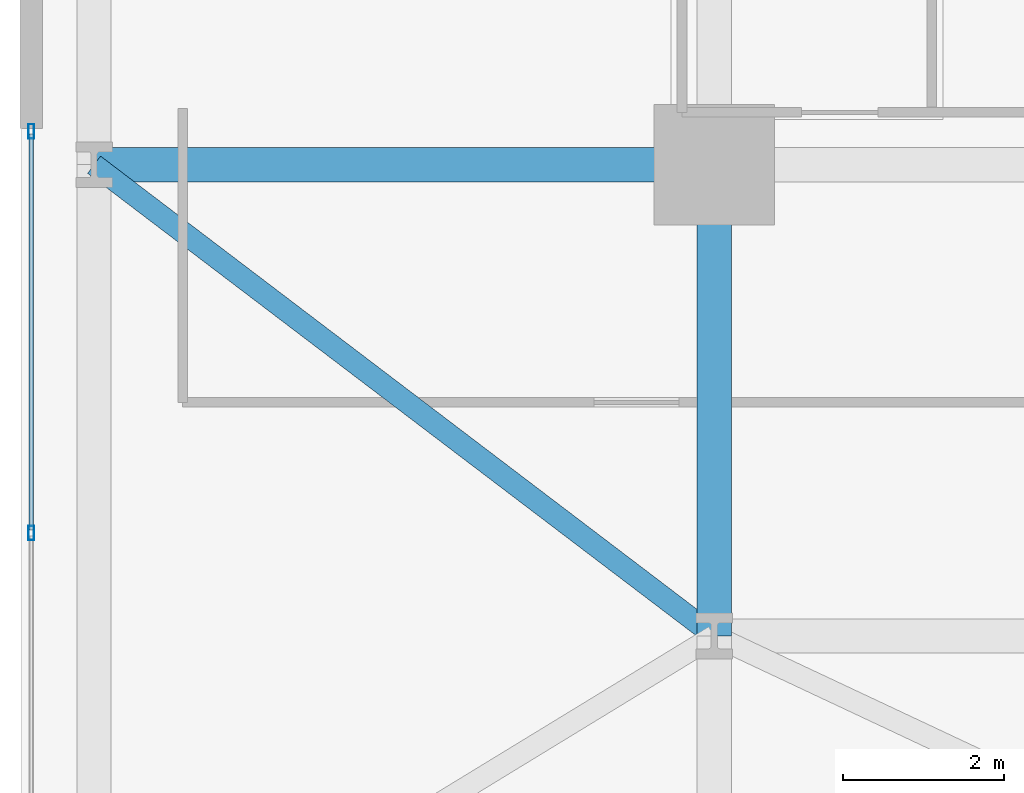
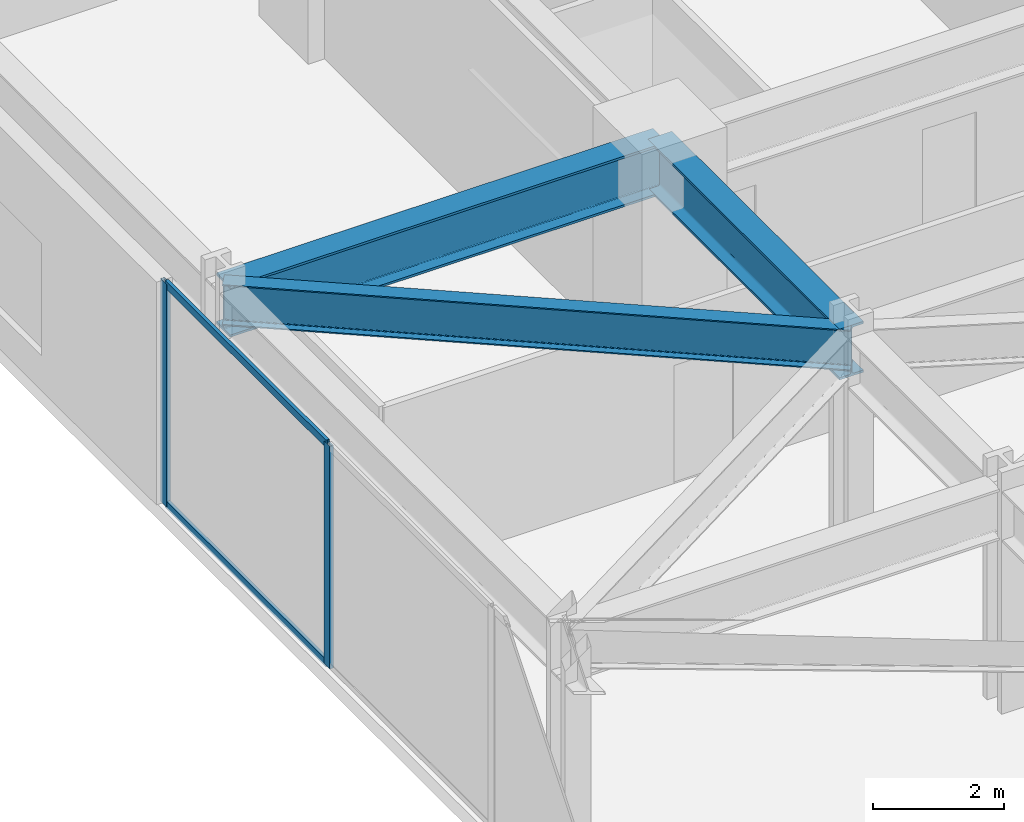
# One storey, part 19 of 30: 4 members, 3 beams, 1 element without a shape of its own.
"""IFC4 building model written with IfcOpenShell, lengths in metres."""

from ifc_helpers import new_model, si_unit, direction, frame, origin, origin_2d, place, context, subcontext, project, spatial, hollow_rectangle, i_section, extrude, material, layer, layer_set, material_profile, profile_set, type_object, element, aggregate, save


model = new_model("IFC4")

# Units and contexts
model_context = context("Model", 3, precision=1e-05, world=origin(), true_north=direction((0.0, 1.0)))
body_context = subcontext(model_context, "Body", "Model", "MODEL_VIEW")
ifc_project = project(units=[si_unit("LENGTHUNIT", "METRE"), si_unit("AREAUNIT", "SQUARE_METRE"), si_unit("VOLUMEUNIT", "CUBIC_METRE"), si_unit("PLANEANGLEUNIT", "RADIAN"), si_unit("MASSUNIT", "GRAM", prefix="KILO")], contexts=[model_context])

# Site, building, storey
site_placement = place(None, origin())
site = spatial("IfcSite", under=ifc_project, at=site_placement, CompositionType="ELEMENT")
building_placement = place(site_placement, origin())
building = spatial("IfcBuilding", under=site, at=building_placement, Name="Kravanh Interchange Tower", CompositionType="ELEMENT")
storey_placement = place(building_placement, frame((0.0, 0.0, 19.800048828125)))
storey = spatial("IfcBuildingStorey", under=building, at=storey_placement, Name="L04", CompositionType="ELEMENT", Elevation=19.800048828125)

# Curtain wall, members
ifc_material_1 = material(Name="Anodised Bronze Aluminium", Category="aluminium")
ifc_layer = layer(ifc_material_1, 0.179931640625)
ifc_layer_set = layer_set([ifc_layer], Name="Unitised Curtain Wall System CW-POD Podium Concourse")
curtain_wall_type = type_object("IfcCurtainWallType", Name="Unitised Curtain Wall System CW-POD Podium Concourse", PredefinedType="NOTDEFINED", material=ifc_layer_set)
curtain_wall_placement = place(storey_placement, origin())
curtain_wall = element("IfcCurtainWall", 1, at=curtain_wall_placement, inside=storey, type_object=curtain_wall_type, Name="L04 Unitised Curtain Wall CW-L04-01", PredefinedType="NOTDEFINED")
ifc_material_2 = material(Name="Anodised Bronze Aluminium", Category="aluminium")
ifc_material_profile_1 = material_profile(ifc_material_2, hollow_rectangle(XDim=0.070068359375, YDim=0.179931640625, WallThickness=0.00390625, at=origin_2d()), Name="ALU70X180X4")
ifc_profile_set_1 = profile_set([ifc_material_profile_1], Name="Anodised Bronze Aluminium")
member_type_1 = type_object("IfcMemberType", Name="Curtain Wall Mullion ALU70X180X4 Bronze", PredefinedType="MULLION", material=ifc_profile_set_1)
member_1_placement = place(storey_placement, frame((0.1201171875, 32.778564453125, 0.0), z_axis=(0.0, 0.0, 1.0), x_axis=(-1.0, 0.0, 0.0)))
member_1 = element("IfcMember", 2, at=member_1_placement, type_object=member_type_1, Name="CW-POD mullion 7", PredefinedType="MULLION", context=body_context, shape_type="SweptSolid", body=[
    extrude(hollow_rectangle(XDim=0.070068359375, YDim=0.179931640625, WallThickness=0.00390625, at=origin_2d()), origin(), (0.0, 0.0, 1.0), 4.14990234375),
])
member_2_placement = place(storey_placement, frame((0.1201171875, 37.764892578125, 0.0), z_axis=(0.0, 0.0, 1.0), x_axis=(-1.0, 0.0, 0.0)))
member_2 = element("IfcMember", 3, at=member_2_placement, type_object=member_type_1, Name="CW-POD mullion 8", PredefinedType="MULLION", context=body_context, shape_type="SweptSolid", body=[
    extrude(hollow_rectangle(XDim=0.070068359375, YDim=0.179931640625, WallThickness=0.00390625, at=origin_2d()), origin(), (0.0, 0.0, 1.0), 4.14990234375),
])
ifc_material_3 = material(Name="Anodised Bronze Aluminium", Category="aluminium")
ifc_material_profile_2 = material_profile(ifc_material_3, hollow_rectangle(XDim=0.06005859375, YDim=0.139892578125, WallThickness=0.00390625, at=origin_2d()), Name="ALU60X140X4")
ifc_profile_set_2 = profile_set([ifc_material_profile_2], Name="Anodised Bronze Aluminium")
member_type_2 = type_object("IfcMemberType", Name="Curtain Wall Transom ALU60X140X4 Bronze", PredefinedType="USERDEFINED", material=ifc_profile_set_2)
member_3_placement = place(storey_placement, frame((0.1201171875, 32.8134765625, 0.030029296875), z_axis=(0.0, 1.0, 0.0), x_axis=(-1.0, 0.0, 0.0)))
member_3 = element("IfcMember", 4, at=member_3_placement, type_object=member_type_2, Name="CW-POD transom 7.1", ObjectType="TRANSOM", PredefinedType="USERDEFINED", context=body_context, shape_type="SweptSolid", body=[
    extrude(hollow_rectangle(XDim=0.06005859375, YDim=0.139892578125, WallThickness=0.00390625, at=origin_2d()), origin(), (0.0, 0.0, 1.0), 4.91650390625),
])
member_4_placement = place(storey_placement, frame((0.1201171875, 32.8134765625, 4.119873046875), z_axis=(0.0, 1.0, 0.0), x_axis=(-1.0, 0.0, 0.0)))
member_4 = element("IfcMember", 5, at=member_4_placement, type_object=member_type_2, Name="CW-POD transom 7.2", ObjectType="TRANSOM", PredefinedType="USERDEFINED", context=body_context, shape_type="SweptSolid", body=[
    extrude(hollow_rectangle(XDim=0.06005859375, YDim=0.139892578125, WallThickness=0.00390625, at=origin_2d()), origin(), (0.0, 0.0, 1.0), 4.91650390625),
])
aggregate(curtain_wall, [member_1, member_2, member_3, member_4])

# Beams
ifc_material_4 = material(Name="Structural Steel S450", Category="steel")
ifc_material_profile_3 = material_profile(ifc_material_4, i_section(OverallWidth=0.423095703125, OverallDepth=0.947998046875, WebThickness=0.02392578125, FlangeThickness=0.042724609375, FilletRadius=0.028076171875, at=origin_2d()), Name="W36X302")
ifc_profile_set_3 = profile_set([ifc_material_profile_3], Name="Structural Steel S450")
beam_type_1 = type_object("IfcBeamType", Name="Floor Beam W36X302 Structural Steel S450", PredefinedType="BEAM", material=ifc_profile_set_3)
beam_1_placement = place(storey_placement, frame((8.60009765625, 31.5, 3.676025390625), z_axis=(0.0, 1.0, 0.0), x_axis=(-1.0, 0.0, 0.0)))
element("IfcBeam", 6, at=beam_1_placement, inside=storey, type_object=beam_type_1, Name="L04 Primary Floor Girder 104", PredefinedType="BEAM", context=body_context, shape_type="SweptSolid", body=[
    extrude(i_section(OverallWidth=0.423095703125, OverallDepth=0.947998046875, WebThickness=0.02392578125, FlangeThickness=0.042724609375, FilletRadius=0.028076171875, at=origin_2d()), origin(), (0.0, 0.0, 1.0), 5.85009765625),
])
beam_2_placement = place(storey_placement, frame((0.89990234375, 37.35009765625, 3.676025390625), z_axis=(1.0, 0.0, 0.0), x_axis=(0.0, 1.0, 0.0)))
element("IfcBeam", 7, at=beam_2_placement, inside=storey, type_object=beam_type_1, Name="L04 Primary Floor Girder 125", PredefinedType="BEAM", context=body_context, shape_type="SweptSolid", body=[
    extrude(i_section(OverallWidth=0.423095703125, OverallDepth=0.947998046875, WebThickness=0.02392578125, FlangeThickness=0.042724609375, FilletRadius=0.028076171875, at=origin_2d()), origin(), (0.0, 0.0, 1.0), 7.7001953125),
])
ifc_material_5 = material(Name="Structural Steel S355", Category="steel")
ifc_material_profile_4 = material_profile(ifc_material_5, i_section(OverallWidth=0.26708984375, OverallDepth=0.761962890625, WebThickness=0.014404296875, FlangeThickness=0.021484375, FilletRadius=0.02490234375, at=origin_2d()), Name="W30X116")
ifc_profile_set_4 = profile_set([ifc_material_profile_4], Name="Structural Steel S355")
beam_type_2 = type_object("IfcBeamType", Name="Floor Spandrel W30X116 Structural Steel S355", PredefinedType="SPANDREL", material=ifc_profile_set_4)
beam_3_placement = place(storey_placement, frame((8.60009765625, 31.5, 3.76904296875), z_axis=(-0.796264345287, 0.604948834552, 0.0), x_axis=(-0.604948834552, -0.796264345287, 0.0)))
element("IfcBeam", 8, at=beam_3_placement, inside=storey, type_object=beam_type_2, Name="L04 Perimeter Spandrel 106", PredefinedType="SPANDREL", context=body_context, shape_type="SweptSolid", body=[
    extrude(i_section(OverallWidth=0.26708984375, OverallDepth=0.761962890625, WebThickness=0.014404296875, FlangeThickness=0.021484375, FilletRadius=0.02490234375, at=origin_2d()), origin(), (0.0, 0.0, 1.0), 9.67041015625),
])

save(model, "model.ifc")
